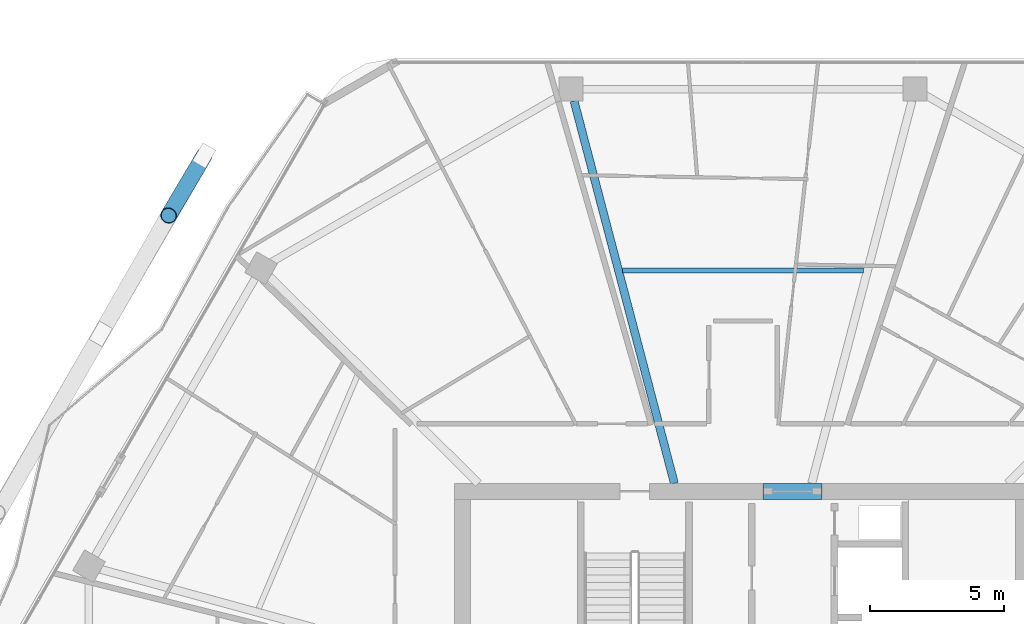
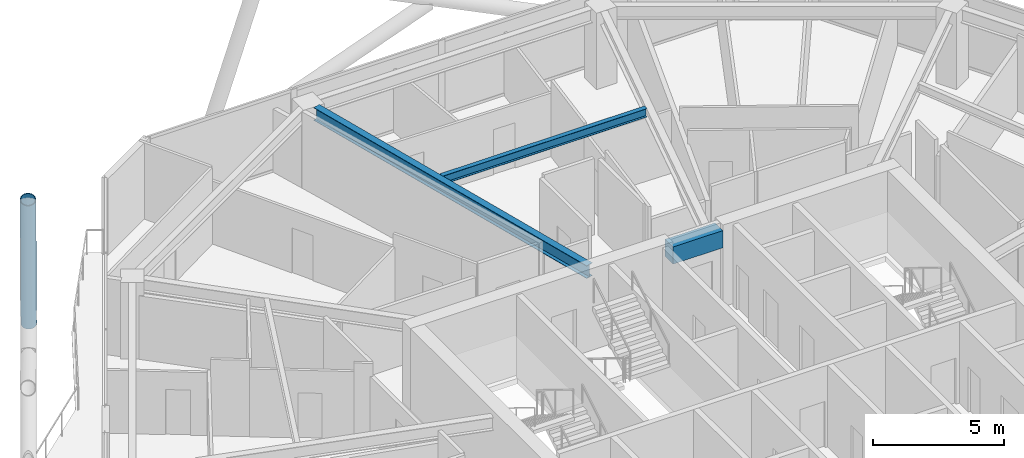
# One storey, part 14 of 29: 3 beams, 1 member.
"""IFC4 building model written with IfcOpenShell, lengths in metres."""

from ifc_helpers import new_model, si_unit, direction, frame, origin, origin_2d, place, context, subcontext, project, spatial, rectangle, hollow_circle, i_section, extrude, material, material_profile, profile_set, type_object, element, save


model = new_model("IFC4")

# Units and contexts
model_context = context("Model", 3, precision=1e-05, world=origin(), true_north=direction((0.0, 1.0)))
body_context = subcontext(model_context, "Body", "Model", "MODEL_VIEW")
ifc_project = project(units=[si_unit("LENGTHUNIT", "METRE"), si_unit("AREAUNIT", "SQUARE_METRE"), si_unit("VOLUMEUNIT", "CUBIC_METRE"), si_unit("PLANEANGLEUNIT", "RADIAN"), si_unit("MASSUNIT", "GRAM", prefix="KILO")], contexts=[model_context])

# Site, building, storey
site_placement = place(None, origin())
site = spatial("IfcSite", under=ifc_project, at=site_placement, CompositionType="ELEMENT")
building_placement = place(site_placement, origin())
building = spatial("IfcBuilding", under=site, at=building_placement, Name="Zuhravey Tower", CompositionType="ELEMENT")
storey_placement = place(building_placement, frame((0.0, 0.0, 246.39990234375)))
storey = spatial("IfcBuildingStorey", under=building, at=storey_placement, Name="L62", CompositionType="ELEMENT", Elevation=246.39990234375)

# Beam
ifc_material_1 = material(Name="Concrete C50/60", Category="concrete")
ifc_material_profile_1 = material_profile(ifc_material_1, rectangle(XDim=0.60009765625, YDim=0.800048828125, at=origin_2d()), Name="RC-600x800")
ifc_profile_set_1 = profile_set([ifc_material_profile_1], Name="Concrete C50/60")
beam_type_1 = type_object("IfcBeamType", Name="Core Coupling Beam RC600x800", PredefinedType="LINTEL", material=ifc_profile_set_1)
beam_1_placement = place(storey_placement, frame((36.751953125, 41.5, 3.150146484375), z_axis=(1.0, 0.0, 0.0), x_axis=(0.0, 1.0, 0.0)))
element("IfcBeam", 1, at=beam_1_placement, inside=storey, type_object=beam_type_1, Name="L62 CB2 BM-L62-CB-N", PredefinedType="LINTEL", context=body_context, shape_type="SweptSolid", body=[
    extrude(rectangle(XDim=0.60009765625, YDim=0.800048828125, at=origin_2d()), origin(), (0.0, 0.0, 1.0), 2.196044921875),
])

# Member
ifc_material_2 = material(Name="Steel SM355", Category="steel")
ifc_material_profile_2 = material_profile(ifc_material_2, hollow_circle(Radius=0.3046875, WallThickness=0.028076171875, at=origin_2d()), Name="CHS-609.6x28")
ifc_profile_set_2 = profile_set([ifc_material_profile_2], Name="Steel SM355")
member_type = type_object("IfcMemberType", Name="Exoskeleton Zone 3 Diagrid CHS610x28", PredefinedType="BRACE", material=ifc_profile_set_2)
member_placement = place(storey_placement, frame((15.826416015625, 54.065673828125, -0.44580078125), z_axis=(-0.166263547493, -0.280502989926, 0.945343591197), x_axis=(0.860238328743, -0.509892162876, 0.0)))
element("IfcMember", 2, at=member_placement, inside=storey, type_object=member_type, Name="L62 Face 3 Diagrid Brace 1", PredefinedType="BRACE", context=body_context, shape_type="SweptSolid", body=[
    extrude(hollow_circle(Radius=0.3046875, WallThickness=0.028076171875, at=origin_2d()), origin(), (0.0, 0.0, 1.0), 8.001220703125),
])

# Beams
ifc_material_profile_3 = material_profile(ifc_material_2, i_section(OverallWidth=0.300048828125, OverallDepth=0.60009765625, WebThickness=0.011962890625, FlangeThickness=0.02001953125, at=origin_2d()), Name="H-600x300x12x20")
ifc_profile_set_3 = profile_set([ifc_material_profile_3], Name="Steel SM355")
beam_type_2 = type_object("IfcBeamType", Name="Radial Primary Girder H600x300", PredefinedType="BEAM", material=ifc_profile_set_3)
beam_2_placement = place(storey_placement, frame((33.428466796875, 41.802978515625, 3.25), z_axis=(-0.253731415841, 0.967274712073, 0.0), x_axis=(-0.967274712073, -0.253731415841, 0.0)))
element("IfcBeam", 3, at=beam_2_placement, inside=storey, type_object=beam_type_2, Name="L62 RG3 BM-L62-RAD-04", PredefinedType="BEAM", context=body_context, shape_type="SweptSolid", body=[
    extrude(i_section(OverallWidth=0.300048828125, OverallDepth=0.60009765625, WebThickness=0.011962890625, FlangeThickness=0.02001953125, at=origin_2d()), origin(), (0.0, 0.0, 1.0), 14.796630859375),
])
ifc_material_profile_4 = material_profile(ifc_material_2, i_section(OverallWidth=0.199951171875, OverallDepth=0.39990234375, WebThickness=0.008056640625, FlangeThickness=0.012939453125, at=origin_2d()), Name="H-400x200x8x13")
ifc_profile_set_4 = profile_set([ifc_material_profile_4], Name="Steel SM355")
beam_type_3 = type_object("IfcBeamType", Name="Secondary Floor Joist H400x200", PredefinedType="JOIST", material=ifc_profile_set_4)
beam_3_placement = place(storey_placement, frame((40.507080078125, 49.768310546875, 3.35009765625), z_axis=(-1.0, 0.0, 0.0), x_axis=(0.0, -1.0, 0.0)))
element("IfcBeam", 4, at=beam_3_placement, inside=storey, type_object=beam_type_3, Name="L62 SJ2 BM-L62-SJ-03-1", PredefinedType="JOIST", context=body_context, shape_type="SweptSolid", body=[
    extrude(i_section(OverallWidth=0.199951171875, OverallDepth=0.39990234375, WebThickness=0.008056640625, FlangeThickness=0.012939453125, at=origin_2d()), origin(), (0.0, 0.0, 1.0), 9.01416015625),
])

save(model, "model.ifc")
